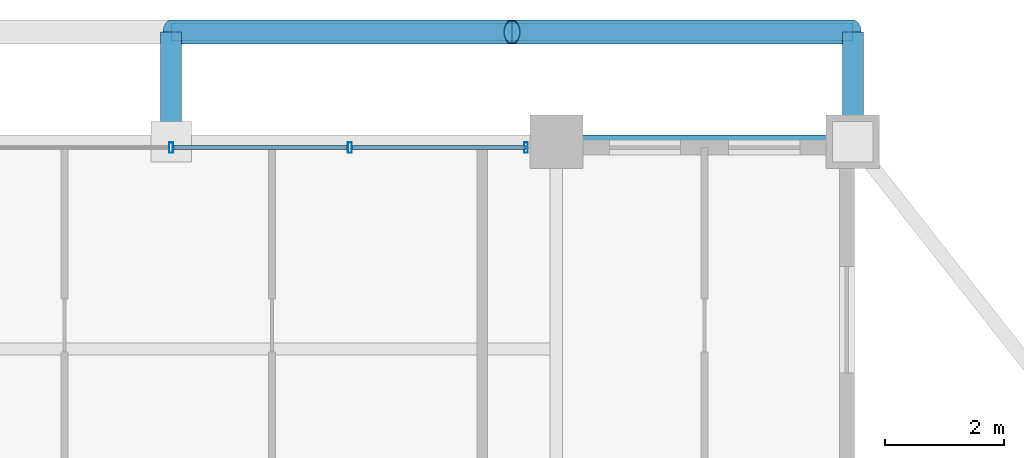
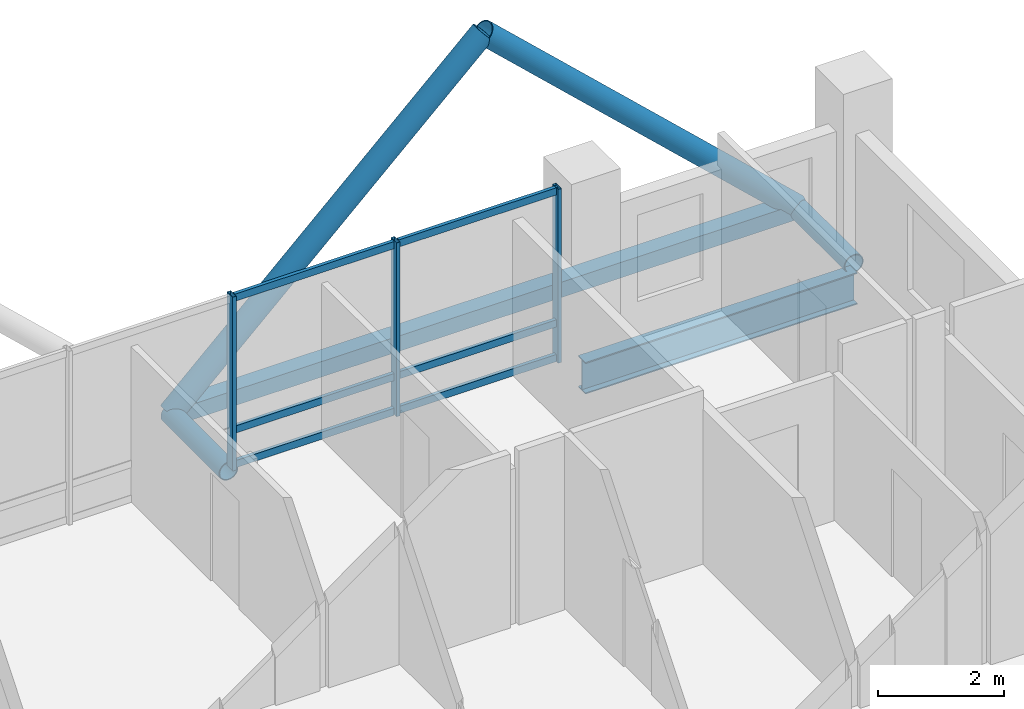
# One storey, part 17 of 25: 14 members, 1 beam, 1 element without a shape of its own.
"""IFC4 building model written with IfcOpenShell, lengths in metres."""

from ifc_helpers import new_model, si_unit, direction, frame, origin, origin_2d, place, context, subcontext, project, spatial, hollow_rectangle, hollow_circle, i_section, extrude, material, layer, layer_set, material_profile, profile_set, type_object, element, aggregate, save


model = new_model("IFC4")

# Units and contexts
model_context = context("Model", 3, precision=1e-05, world=origin(), true_north=direction((0.0, 1.0)))
body_context = subcontext(model_context, "Body", "Model", "MODEL_VIEW")
ifc_project = project(units=[si_unit("LENGTHUNIT", "METRE"), si_unit("AREAUNIT", "SQUARE_METRE"), si_unit("VOLUMEUNIT", "CUBIC_METRE"), si_unit("PLANEANGLEUNIT", "RADIAN"), si_unit("MASSUNIT", "GRAM", prefix="KILO")], contexts=[model_context])

# Site, building, storey
site_placement = place(None, origin())
site = spatial("IfcSite", under=ifc_project, at=site_placement, CompositionType="ELEMENT")
building_placement = place(site_placement, origin())
building = spatial("IfcBuilding", under=site, at=building_placement, Name="Barlavira Tower and Art Museum", CompositionType="ELEMENT")
storey_placement = place(building_placement, frame((0.0, 0.0, 229.5)))
storey = spatial("IfcBuildingStorey", under=building, at=storey_placement, Name="L59", CompositionType="ELEMENT", Elevation=229.5)

# Curtain wall, members
ifc_material_1 = material(Name="Low-iron coastal laminated glass", Category="glass")
ifc_layer = layer(ifc_material_1, 0.2099609375, Name="Low-iron coastal laminated glass")
ifc_layer_set = layer_set([ifc_layer], Name="Low-iron coastal laminated glass")
curtain_wall_type = type_object("IfcCurtainWallType", Name="Pale-Metal Unitised Curtain Wall Zone 4", PredefinedType="NOTDEFINED", material=ifc_layer_set)
curtain_wall_placement = place(storey_placement, origin())
curtain_wall = element("IfcCurtainWall", 1, at=curtain_wall_placement, inside=storey, type_object=curtain_wall_type, Name="L59 Curtain Wall CW4-L59-N-B2", PredefinedType="NOTDEFINED")
ifc_material_2 = material(Name="Pale anodised aluminium", Category="aluminium")
ifc_material_profile_1 = material_profile(ifc_material_2, hollow_rectangle(XDim=0.06494140625, YDim=0.179931640625, WallThickness=0.00390625, at=origin_2d()), Name="ALU-MULL 65x180x4")
ifc_profile_set_1 = profile_set([ifc_material_profile_1], Name="Pale anodised aluminium")
member_type_1 = type_object("IfcMemberType", Name="Curtain Wall Pale-Metal Mullion 65x180", PredefinedType="MULLION", material=ifc_profile_set_1)
member_1_placement = place(storey_placement, frame((5.985107421875, 19.89990234375, 0.0), z_axis=(0.0, 0.0, 1.0), x_axis=(-1.0, 0.0, 0.0)))
member_1 = element("IfcMember", 2, at=member_1_placement, type_object=member_type_1, Name="CW4-L59-N-B2 Mullion 0", PredefinedType="MULLION", context=body_context, shape_type="SweptSolid", body=[
    extrude(hollow_rectangle(XDim=0.06494140625, YDim=0.179931640625, WallThickness=0.00390625, at=origin_2d()), origin(), (0.0, 0.0, 1.0), 3.3798828125),
])
member_2_placement = place(storey_placement, frame((3.014892578125, 19.89990234375, 0.0), z_axis=(0.0, 0.0, 1.0), x_axis=(-1.0, 0.0, 0.0)))
member_2 = element("IfcMember", 3, at=member_2_placement, type_object=member_type_1, Name="CW4-L59-N-B2 Mullion 1", PredefinedType="MULLION", context=body_context, shape_type="SweptSolid", body=[
    extrude(hollow_rectangle(XDim=0.06494140625, YDim=0.179931640625, WallThickness=0.00390625, at=origin_2d()), origin(), (0.0, 0.0, 1.0), 3.3798828125),
])
member_3_placement = place(storey_placement, frame((0.0, 19.89990234375, 0.0), z_axis=(0.0, 0.0, 1.0), x_axis=(-1.0, 0.0, 0.0)))
member_3 = element("IfcMember", 4, at=member_3_placement, type_object=member_type_1, Name="CW4-L59-N-B2 Mullion 2", PredefinedType="MULLION", context=body_context, shape_type="SweptSolid", body=[
    extrude(hollow_rectangle(XDim=0.06494140625, YDim=0.179931640625, WallThickness=0.00390625, at=origin_2d()), origin(), (0.0, 0.0, 1.0), 3.3798828125),
])
ifc_material_profile_2 = material_profile(ifc_material_2, hollow_rectangle(XDim=0.06494140625, YDim=0.139892578125, WallThickness=0.00390625, at=origin_2d()), Name="ALU-TRAN 65x140x4")
ifc_profile_set_2 = profile_set([ifc_material_profile_2], Name="Pale anodised aluminium")
member_type_2 = type_object("IfcMemberType", Name="Curtain Wall Pale-Metal Transom 65x140", PredefinedType="USERDEFINED", material=ifc_profile_set_2)
member_4_placement = place(storey_placement, frame((5.985107421875, 19.89990234375, 0.070068359375), z_axis=(-1.0, 0.0, 0.0), x_axis=(0.0, -1.0, 0.0)))
member_4 = element("IfcMember", 5, at=member_4_placement, type_object=member_type_2, Name="CW4-L59-N-B2 Transom 0.1", ObjectType="TRANSOM", PredefinedType="USERDEFINED", context=body_context, shape_type="SweptSolid", body=[
    extrude(hollow_rectangle(XDim=0.06494140625, YDim=0.139892578125, WallThickness=0.00390625, at=origin_2d()), origin(), (0.0, 0.0, 1.0), 2.925048828125),
])
member_5_placement = place(storey_placement, frame((5.985107421875, 19.89990234375, 0.743896484375), z_axis=(-1.0, 0.0, 0.0), x_axis=(0.0, -1.0, 0.0)))
member_5 = element("IfcMember", 6, at=member_5_placement, type_object=member_type_2, Name="CW4-L59-N-B2 Transom 0.2", ObjectType="TRANSOM", PredefinedType="USERDEFINED", context=body_context, shape_type="SweptSolid", body=[
    extrude(hollow_rectangle(XDim=0.06494140625, YDim=0.139892578125, WallThickness=0.00390625, at=origin_2d()), origin(), (0.0, 0.0, 1.0), 2.925048828125),
])
member_6_placement = place(storey_placement, frame((5.985107421875, 19.89990234375, 3.31005859375), z_axis=(-1.0, 0.0, 0.0), x_axis=(0.0, -1.0, 0.0)))
member_6 = element("IfcMember", 7, at=member_6_placement, type_object=member_type_2, Name="CW4-L59-N-B2 Transom 0.3", ObjectType="TRANSOM", PredefinedType="USERDEFINED", context=body_context, shape_type="SweptSolid", body=[
    extrude(hollow_rectangle(XDim=0.06494140625, YDim=0.139892578125, WallThickness=0.00390625, at=origin_2d()), origin(), (0.0, 0.0, 1.0), 2.925048828125),
])
member_7_placement = place(storey_placement, frame((2.969970703125, 19.89990234375, 0.070068359375), z_axis=(-1.0, 0.0, 0.0), x_axis=(0.0, -1.0, 0.0)))
member_7 = element("IfcMember", 8, at=member_7_placement, type_object=member_type_2, Name="CW4-L59-N-B2 Transom 1.1", ObjectType="TRANSOM", PredefinedType="USERDEFINED", context=body_context, shape_type="SweptSolid", body=[
    extrude(hollow_rectangle(XDim=0.06494140625, YDim=0.139892578125, WallThickness=0.00390625, at=origin_2d()), origin(), (0.0, 0.0, 1.0), 2.925048828125),
])
member_8_placement = place(storey_placement, frame((2.969970703125, 19.89990234375, 0.743896484375), z_axis=(-1.0, 0.0, 0.0), x_axis=(0.0, -1.0, 0.0)))
member_8 = element("IfcMember", 9, at=member_8_placement, type_object=member_type_2, Name="CW4-L59-N-B2 Transom 1.2", ObjectType="TRANSOM", PredefinedType="USERDEFINED", context=body_context, shape_type="SweptSolid", body=[
    extrude(hollow_rectangle(XDim=0.06494140625, YDim=0.139892578125, WallThickness=0.00390625, at=origin_2d()), origin(), (0.0, 0.0, 1.0), 2.925048828125),
])
member_9_placement = place(storey_placement, frame((2.969970703125, 19.89990234375, 3.31005859375), z_axis=(-1.0, 0.0, 0.0), x_axis=(0.0, -1.0, 0.0)))
member_9 = element("IfcMember", 10, at=member_9_placement, type_object=member_type_2, Name="CW4-L59-N-B2 Transom 1.3", ObjectType="TRANSOM", PredefinedType="USERDEFINED", context=body_context, shape_type="SweptSolid", body=[
    extrude(hollow_rectangle(XDim=0.06494140625, YDim=0.139892578125, WallThickness=0.00390625, at=origin_2d()), origin(), (0.0, 0.0, 1.0), 2.925048828125),
])
aggregate(curtain_wall, [member_1, member_2, member_3, member_4, member_5, member_6, member_7, member_8, member_9])

# Members
ifc_material_3 = material(Name="Steel S355", Category="steel")
ifc_material_profile_3 = material_profile(ifc_material_3, hollow_circle(Radius=0.203125, WallThickness=0.01611328125, at=origin_2d()), Name="CHS 406.4x16.0")
ifc_profile_set_3 = profile_set([ifc_material_profile_3], Name="Steel S355")
member_type_3 = type_object("IfcMemberType", Name="Pale-Metal Exoskeleton Diagrid Tube CHS 406x16 Steel S355", PredefinedType="BRACE", material=ifc_profile_set_3)
for number, where, z_axis, x_axis, name in (
    (11, (0.0, 21.85009765625, -0.1201171875), (0.728934650808, 0.0, 0.684583285548), (0.0, 1.0, 0.0), "L59 Exoskeleton Diagrid Tube N"),
    (12, (11.5, 21.85009765625, -0.1201171875), (-0.728934650808, 0.0, 0.684583285548), (0.0, -1.0, 0.0), "L59 Exoskeleton Diagrid Tube N"),
):
    element("IfcMember", number, at=place(storey_placement, frame(where, z_axis=z_axis, x_axis=x_axis)), inside=storey, type_object=member_type_3, Name=name, PredefinedType="BRACE", context=body_context, shape_type="SweptSolid", body=[
        extrude(hollow_circle(Radius=0.203125, WallThickness=0.01611328125, at=origin_2d()), origin(), (0.0, 0.0, 1.0), 7.88818359375),
    ])
ifc_material_profile_4 = material_profile(ifc_material_3, hollow_circle(Radius=0.177734375, WallThickness=0.01611328125, at=origin_2d()), Name="CHS 355.6x16.0")
ifc_profile_set_4 = profile_set([ifc_material_profile_4], Name="Steel S355")
member_type_4 = type_object("IfcMemberType", Name="Pale-Metal Exoskeleton Tie Strut CHS 356x16 Steel S355", PredefinedType="STRUT", material=ifc_profile_set_4)
for number, where, z_axis, x_axis, name in (
    (13, (0.0, 21.85009765625, -0.1201171875), (0.0, -1.0, 0.0), (1.0, 0.0, 0.0), "L59 Exoskeleton Tie Strut N2"),
    (14, (11.5, 21.85009765625, -0.1201171875), (0.0, -1.0, 0.0), (1.0, 0.0, 0.0), "L59 Exoskeleton Tie Strut N3"),
):
    element("IfcMember", number, at=place(storey_placement, frame(where, z_axis=z_axis, x_axis=x_axis)), inside=storey, type_object=member_type_4, Name=name, PredefinedType="STRUT", context=body_context, shape_type="SweptSolid", body=[
        extrude(hollow_circle(Radius=0.177734375, WallThickness=0.01611328125, at=origin_2d()), origin(), (0.0, 0.0, 1.0), 1.85009765625),
    ])
ifc_material_profile_5 = material_profile(ifc_material_3, hollow_rectangle(XDim=0.300048828125, YDim=0.300048828125, WallThickness=0.01611328125, at=origin_2d()), Name="SHS 300x300x16.0")
ifc_profile_set_5 = profile_set([ifc_material_profile_5], Name="Steel S355")
member_type_5 = type_object("IfcMemberType", Name="Pale-Metal Upper Ring Strut SHS 300x300x16 Steel S355", PredefinedType="STRUT", material=ifc_profile_set_5)
member_10_placement = place(storey_placement, frame((0.0, 21.85009765625, -0.1201171875), z_axis=(1.0, 0.0, 0.0), x_axis=(0.0, 1.0, 0.0)))
element("IfcMember", 15, at=member_10_placement, inside=storey, type_object=member_type_5, Name="L59 Exoskeleton Ring Strut N", PredefinedType="STRUT", context=body_context, shape_type="SweptSolid", body=[
    extrude(hollow_rectangle(XDim=0.300048828125, YDim=0.300048828125, WallThickness=0.01611328125, at=origin_2d()), origin(), (0.0, 0.0, 1.0), 11.5),
])

# Beam
ifc_material_profile_6 = material_profile(ifc_material_3, i_section(OverallWidth=0.22998046875, OverallDepth=0.616943359375, WebThickness=0.01318359375, FlangeThickness=0.022216796875, at=origin_2d()), Name="W610x140.0")
ifc_profile_set_6 = profile_set([ifc_material_profile_6], Name="Steel S355")
beam_type = type_object("IfcBeamType", Name="Upper Shaft Spandrel Edge Beam W610x140 Steel S355", PredefinedType="SPANDREL", material=ifc_profile_set_6)
beam_placement = place(storey_placement, frame((6.5, 20.0, -0.528564453125), z_axis=(1.0, 0.0, 0.0), x_axis=(0.0, 1.0, 0.0)))
element("IfcBeam", 16, at=beam_placement, inside=storey, type_object=beam_type, Name="L59 Spandrel 9", PredefinedType="SPANDREL", context=body_context, shape_type="SweptSolid", body=[
    extrude(i_section(OverallWidth=0.22998046875, OverallDepth=0.616943359375, WebThickness=0.01318359375, FlangeThickness=0.022216796875, at=origin_2d()), origin(), (0.0, 0.0, 1.0), 5.0),
])

save(model, "model.ifc")
